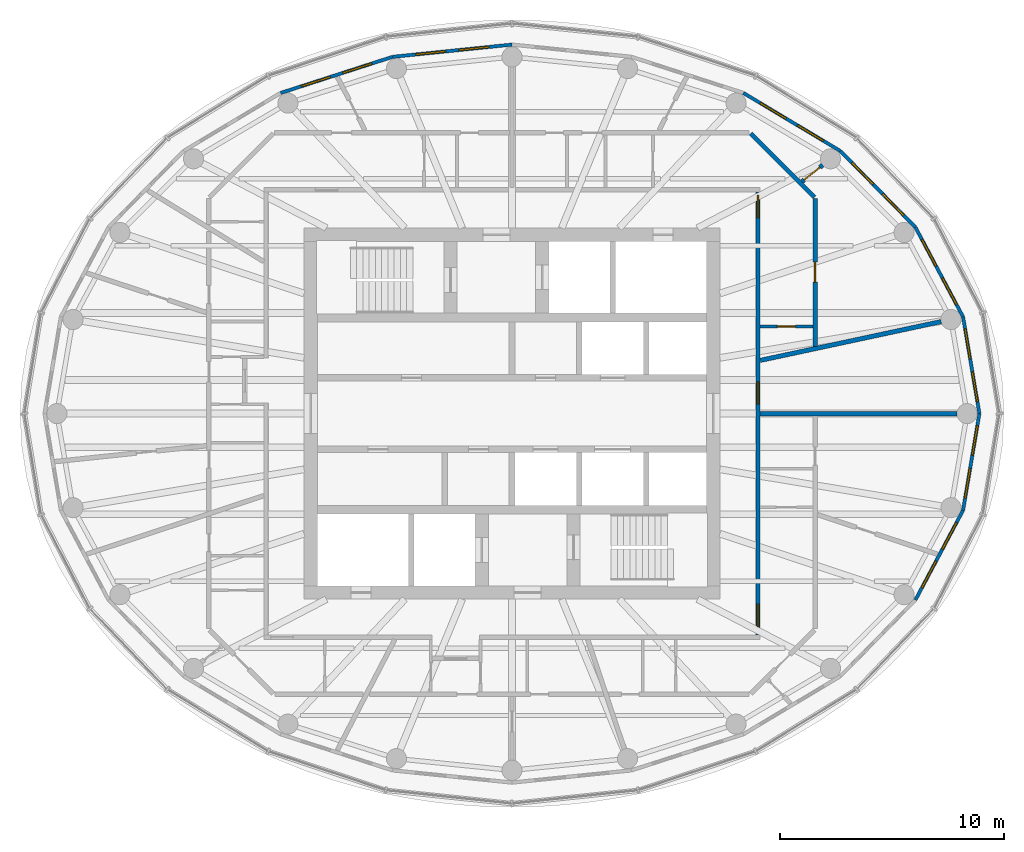
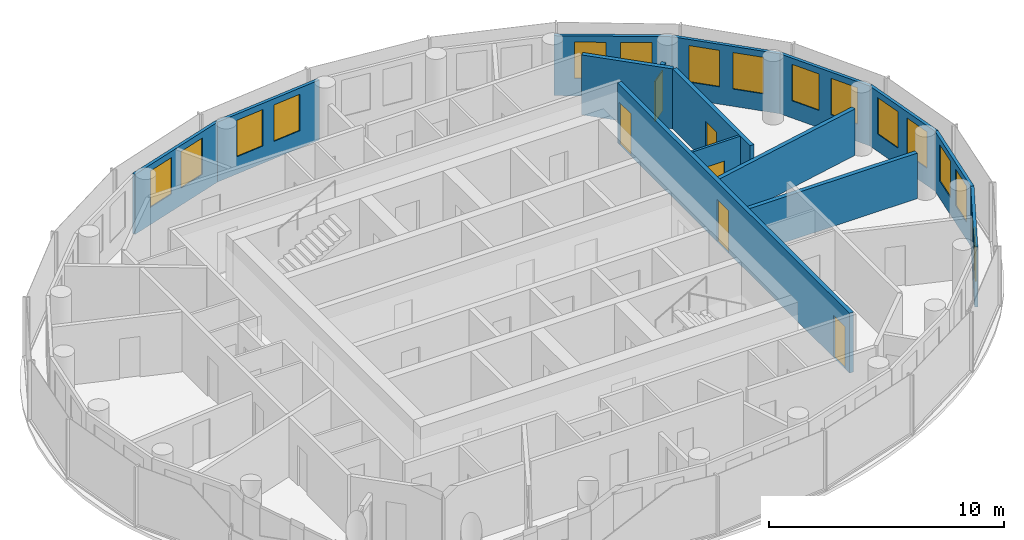
# One storey, part 9 of 11: 16 windows, 15 walls, 6 doors, 22 openings.
"""IFC4 building model written with IfcOpenShell, lengths in metres."""

from ifc_helpers import new_model, si_unit, direction, frame, frame_2d, origin, place, context, subcontext, project, spatial, rectangle, extrude, material, layer, layer_set, type_object, element, fill, save


model = new_model("IFC4")

# Units and contexts
model_context = context("Model", 3, precision=1e-05, world=origin(), true_north=direction((0.0, 1.0)))
body_context = subcontext(model_context, "Body", "Model", "MODEL_VIEW")
ifc_project = project(units=[si_unit("LENGTHUNIT", "METRE"), si_unit("AREAUNIT", "SQUARE_METRE"), si_unit("VOLUMEUNIT", "CUBIC_METRE"), si_unit("PLANEANGLEUNIT", "RADIAN"), si_unit("MASSUNIT", "GRAM", prefix="KILO")], contexts=[model_context])

# Site, building, storey
site_placement = place(None, origin())
site = spatial("IfcSite", under=ifc_project, at=site_placement, CompositionType="ELEMENT")
building_placement = place(site_placement, origin())
building = spatial("IfcBuilding", under=site, at=building_placement, Name="Hankou Lantern Tower", CompositionType="ELEMENT")
storey_placement = place(building_placement, frame((0.0, 0.0, 202.800048828125)))
storey = spatial("IfcBuildingStorey", under=building, at=storey_placement, Name="L54", CompositionType="ELEMENT", Elevation=202.800048828125)

# Wall, openings, windows
ifc_material_1 = material(Name="Aluminium spandrel panel on steel studs", Category="steel")
ifc_layer_1 = layer(ifc_material_1, 0.14990234375)
ifc_layer_set_1 = layer_set([ifc_layer_1], Name="Aluminium spandrel panel on steel studs")
wall_type_1 = type_object("IfcWallType", Name="EW1 INNER SKIN WALL 150", PredefinedType="ELEMENTEDWALL", material=ifc_layer_set_1)
wall_1_placement = place(storey_placement, frame((20.89990234375, 0.0, 0.0), z_axis=(0.0, 0.0, 1.0), x_axis=(-0.166538513568, 0.986034950445, 0.0)))
wall_1 = element("IfcWall", 1, at=wall_1_placement, inside=storey, type_object=wall_type_1, Name="Inner skin R01-R02 L54", PredefinedType="ELEMENTEDWALL", context=body_context, shape_type="SweptSolid", body=[
    extrude(rectangle(XDim=4.384765625, YDim=0.14990234375, at=frame_2d((2.1923828125, 0.0))), origin(), (0.0, 0.0, 1.0), 3.119873046875),
])
opening_1_placement = place(wall_1_placement, frame((0.54248046875, 0.0, 0.89990234375)))
opening_1 = element("IfcOpeningElement", 2, at=opening_1_placement, cuts=wall_1, Name="Opening W4", PredefinedType="OPENING", context=body_context, shape_type="SweptSolid", body=[
    extrude(rectangle(XDim=1.35009765625, YDim=1.89990234375, at=frame_2d((0.675048828125, 0.949951171875))), frame((0.0, 0.0849609375, 0.0), z_axis=(0.0, -1.0, 0.0), x_axis=(1.0, 0.0, 0.0)), (0.0, 0.0, 1.0), 0.169921875),
])
opening_2_placement = place(wall_1_placement, frame((2.492431640625, 0.0, 0.89990234375)))
opening_2 = element("IfcOpeningElement", 3, at=opening_2_placement, cuts=wall_1, Name="Opening W4", PredefinedType="OPENING", context=body_context, shape_type="SweptSolid", body=[
    extrude(rectangle(XDim=1.35009765625, YDim=1.89990234375, at=frame_2d((0.675048828125, 0.949951171875))), frame((0.0, 0.0849609375, 0.0), z_axis=(0.0, -1.0, 0.0), x_axis=(1.0, 0.0, 0.0)), (0.0, 0.0, 1.0), 0.169921875),
])
ifc_material_2 = material(Name="Aluminium framed double glazed window", Category="aluminium")
window_type = type_object("IfcWindowType", Name="W4 SUITE WINDOW 1350X1900", PartitioningType="DOUBLE_PANEL_VERTICAL", PredefinedType="WINDOW", material=ifc_material_2)
window_1_placement = place(opening_1_placement, origin())
window_1 = element("IfcWindow", 4, at=window_1_placement, inside=storey, type_object=window_type, Name="Window R01.1 L54", OverallHeight=1.89990234375, OverallWidth=1.35009765625, PartitioningType="SINGLE_PANEL", PredefinedType="WINDOW", context=body_context, shape_type="SweptSolid", body=[
    extrude(rectangle(XDim=1.35009765625, YDim=1.89990234375, at=frame_2d((0.675048828125, 0.949951171875))), frame((0.0, 0.030029296875, 0.0), z_axis=(0.0, -1.0, 0.0), x_axis=(1.0, 0.0, 0.0)), (0.0, 0.0, 1.0), 0.06005859375),
])
fill(opening_1, window_1)
window_2_placement = place(opening_2_placement, origin())
window_2 = element("IfcWindow", 5, at=window_2_placement, inside=storey, type_object=window_type, Name="Window R01.2 L54", OverallHeight=1.89990234375, OverallWidth=1.35009765625, PartitioningType="SINGLE_PANEL", PredefinedType="WINDOW", context=body_context, shape_type="SweptSolid", body=[
    extrude(rectangle(XDim=1.35009765625, YDim=1.89990234375, at=frame_2d((0.675048828125, 0.949951171875))), frame((0.0, 0.030029296875, 0.0), z_axis=(0.0, -1.0, 0.0), x_axis=(1.0, 0.0, 0.0)), (0.0, 0.0, 1.0), 0.06005859375),
])
fill(opening_2, window_2)

wall_2_placement = place(storey_placement, frame((20.169677734375, 4.323486328125, 0.0), z_axis=(0.0, 0.0, 1.0), x_axis=(-0.469256152955, 0.883062094597, 0.0)))
wall_2 = element("IfcWall", 6, at=wall_2_placement, inside=storey, type_object=wall_type_1, Name="Inner skin R02-R03 L54", PredefinedType="ELEMENTEDWALL", context=body_context, shape_type="SweptSolid", body=[
    extrude(rectangle(XDim=4.539306640625, YDim=0.14990234375, at=frame_2d((2.26953125, 0.0))), origin(), (0.0, 0.0, 1.0), 3.119873046875),
])
opening_3_placement = place(wall_2_placement, frame((0.61962890625, 0.0, 0.89990234375)))
opening_3 = element("IfcOpeningElement", 7, at=opening_3_placement, cuts=wall_2, Name="Opening W4", PredefinedType="OPENING", context=body_context, shape_type="SweptSolid", body=[
    extrude(rectangle(XDim=1.35009765625, YDim=1.89990234375, at=frame_2d((0.675048828125, 0.949951171875))), frame((0.0, 0.0849609375, 0.0), z_axis=(0.0, -1.0, 0.0), x_axis=(1.0, 0.0, 0.0)), (0.0, 0.0, 1.0), 0.169921875),
])
opening_4_placement = place(wall_2_placement, frame((2.569580078125, 0.0, 0.89990234375)))
opening_4 = element("IfcOpeningElement", 8, at=opening_4_placement, cuts=wall_2, Name="Opening W4", PredefinedType="OPENING", context=body_context, shape_type="SweptSolid", body=[
    extrude(rectangle(XDim=1.35009765625, YDim=1.89990234375, at=frame_2d((0.675048828125, 0.949951171875))), frame((0.0, 0.0849609375, 0.0), z_axis=(0.0, -1.0, 0.0), x_axis=(1.0, 0.0, 0.0)), (0.0, 0.0, 1.0), 0.169921875),
])
window_3_placement = place(opening_3_placement, origin())
window_3 = element("IfcWindow", 9, at=window_3_placement, inside=storey, type_object=window_type, Name="Window R02.1 L54", OverallHeight=1.89990234375, OverallWidth=1.35009765625, PartitioningType="SINGLE_PANEL", PredefinedType="WINDOW", context=body_context, shape_type="SweptSolid", body=[
    extrude(rectangle(XDim=1.35009765625, YDim=1.89990234375, at=frame_2d((0.675048828125, 0.949951171875))), frame((0.0, 0.030029296875, 0.0), z_axis=(0.0, -1.0, 0.0), x_axis=(1.0, 0.0, 0.0)), (0.0, 0.0, 1.0), 0.06005859375),
])
fill(opening_3, window_3)
window_4_placement = place(opening_4_placement, origin())
window_4 = element("IfcWindow", 10, at=window_4_placement, inside=storey, type_object=window_type, Name="Window R02.2 L54", OverallHeight=1.89990234375, OverallWidth=1.35009765625, PartitioningType="SINGLE_PANEL", PredefinedType="WINDOW", context=body_context, shape_type="SweptSolid", body=[
    extrude(rectangle(XDim=1.35009765625, YDim=1.89990234375, at=frame_2d((0.675048828125, 0.949951171875))), frame((0.0, 0.030029296875, 0.0), z_axis=(0.0, -1.0, 0.0), x_axis=(1.0, 0.0, 0.0)), (0.0, 0.0, 1.0), 0.06005859375),
])
fill(opening_4, window_4)

wall_3_placement = place(storey_placement, frame((18.03955078125, 8.33203125, 0.0), z_axis=(0.0, 0.0, 1.0), x_axis=(-0.701527379618, 0.712642501993, 0.0)))
wall_3 = element("IfcWall", 11, at=wall_3_placement, inside=storey, type_object=wall_type_1, Name="Inner skin R03-R04 L54", PredefinedType="ELEMENTEDWALL", context=body_context, shape_type="SweptSolid", body=[
    extrude(rectangle(XDim=4.788330078125, YDim=0.14990234375, at=frame_2d((2.39404296875, 0.0))), origin(), (0.0, 0.0, 1.0), 3.119873046875),
])
opening_5_placement = place(wall_3_placement, frame((0.744140625, 0.0, 0.89990234375)))
opening_5 = element("IfcOpeningElement", 12, at=opening_5_placement, cuts=wall_3, Name="Opening W4", PredefinedType="OPENING", context=body_context, shape_type="SweptSolid", body=[
    extrude(rectangle(XDim=1.35009765625, YDim=1.89990234375, at=frame_2d((0.675048828125, 0.949951171875))), frame((0.0, 0.0849609375, 0.0), z_axis=(0.0, -1.0, 0.0), x_axis=(1.0, 0.0, 0.0)), (0.0, 0.0, 1.0), 0.169921875),
])
opening_6_placement = place(wall_3_placement, frame((2.694091796875, 0.0, 0.89990234375)))
opening_6 = element("IfcOpeningElement", 13, at=opening_6_placement, cuts=wall_3, Name="Opening W4", PredefinedType="OPENING", context=body_context, shape_type="SweptSolid", body=[
    extrude(rectangle(XDim=1.35009765625, YDim=1.89990234375, at=frame_2d((0.675048828125, 0.949951171875))), frame((0.0, 0.0849609375, 0.0), z_axis=(0.0, -1.0, 0.0), x_axis=(1.0, 0.0, 0.0)), (0.0, 0.0, 1.0), 0.169921875),
])
window_5_placement = place(opening_5_placement, origin())
window_5 = element("IfcWindow", 14, at=window_5_placement, inside=storey, type_object=window_type, Name="Window R03.1 L54", OverallHeight=1.89990234375, OverallWidth=1.35009765625, PartitioningType="SINGLE_PANEL", PredefinedType="WINDOW", context=body_context, shape_type="SweptSolid", body=[
    extrude(rectangle(XDim=1.35009765625, YDim=1.89990234375, at=frame_2d((0.675048828125, 0.949951171875))), frame((0.0, 0.030029296875, 0.0), z_axis=(0.0, -1.0, 0.0), x_axis=(1.0, 0.0, 0.0)), (0.0, 0.0, 1.0), 0.06005859375),
])
fill(opening_5, window_5)
window_6_placement = place(opening_6_placement, origin())
window_6 = element("IfcWindow", 15, at=window_6_placement, inside=storey, type_object=window_type, Name="Window R03.2 L54", OverallHeight=1.89990234375, OverallWidth=1.35009765625, PartitioningType="SINGLE_PANEL", PredefinedType="WINDOW", context=body_context, shape_type="SweptSolid", body=[
    extrude(rectangle(XDim=1.35009765625, YDim=1.89990234375, at=frame_2d((0.675048828125, 0.949951171875))), frame((0.0, 0.030029296875, 0.0), z_axis=(0.0, -1.0, 0.0), x_axis=(1.0, 0.0, 0.0)), (0.0, 0.0, 1.0), 0.06005859375),
])
fill(opening_6, window_6)

wall_4_placement = place(storey_placement, frame((14.680419921875, 11.744384765625, 0.0), z_axis=(0.0, 0.0, 1.0), x_axis=(-0.85822150553, 0.513279502265, 0.0)))
wall_4 = element("IfcWall", 16, at=wall_4_placement, inside=storey, type_object=wall_type_1, Name="Inner skin R04-R05 L54", PredefinedType="ELEMENTEDWALL", context=body_context, shape_type="SweptSolid", body=[
    extrude(rectangle(XDim=5.050048828125, YDim=0.14990234375, at=frame_2d((2.52490234375, 0.0))), origin(), (0.0, 0.0, 1.0), 3.119873046875),
])
opening_7_placement = place(wall_4_placement, frame((0.875, 0.0, 0.89990234375)))
opening_7 = element("IfcOpeningElement", 17, at=opening_7_placement, cuts=wall_4, Name="Opening W4", PredefinedType="OPENING", context=body_context, shape_type="SweptSolid", body=[
    extrude(rectangle(XDim=1.35009765625, YDim=1.89990234375, at=frame_2d((0.675048828125, 0.949951171875))), frame((0.0, 0.0849609375, 0.0), z_axis=(0.0, -1.0, 0.0), x_axis=(1.0, 0.0, 0.0)), (0.0, 0.0, 1.0), 0.169921875),
])
opening_8_placement = place(wall_4_placement, frame((2.824951171875, 0.0, 0.89990234375)))
opening_8 = element("IfcOpeningElement", 18, at=opening_8_placement, cuts=wall_4, Name="Opening W4", PredefinedType="OPENING", context=body_context, shape_type="SweptSolid", body=[
    extrude(rectangle(XDim=1.35009765625, YDim=1.89990234375, at=frame_2d((0.675048828125, 0.949951171875))), frame((0.0, 0.0849609375, 0.0), z_axis=(0.0, -1.0, 0.0), x_axis=(1.0, 0.0, 0.0)), (0.0, 0.0, 1.0), 0.169921875),
])
window_7_placement = place(opening_7_placement, origin())
window_7 = element("IfcWindow", 19, at=window_7_placement, inside=storey, type_object=window_type, Name="Window R04.1 L54", OverallHeight=1.89990234375, OverallWidth=1.35009765625, PartitioningType="SINGLE_PANEL", PredefinedType="WINDOW", context=body_context, shape_type="SweptSolid", body=[
    extrude(rectangle(XDim=1.35009765625, YDim=1.89990234375, at=frame_2d((0.675048828125, 0.949951171875))), frame((0.0, 0.030029296875, 0.0), z_axis=(0.0, -1.0, 0.0), x_axis=(1.0, 0.0, 0.0)), (0.0, 0.0, 1.0), 0.06005859375),
])
fill(opening_7, window_7)
window_8_placement = place(opening_8_placement, origin())
window_8 = element("IfcWindow", 20, at=window_8_placement, inside=storey, type_object=window_type, Name="Window R04.2 L54", OverallHeight=1.89990234375, OverallWidth=1.35009765625, PartitioningType="SINGLE_PANEL", PredefinedType="WINDOW", context=body_context, shape_type="SweptSolid", body=[
    extrude(rectangle(XDim=1.35009765625, YDim=1.89990234375, at=frame_2d((0.675048828125, 0.949951171875))), frame((0.0, 0.030029296875, 0.0), z_axis=(0.0, -1.0, 0.0), x_axis=(1.0, 0.0, 0.0)), (0.0, 0.0, 1.0), 0.06005859375),
])
fill(opening_8, window_8)

wall_5_placement = place(storey_placement, frame((0.0, 16.5, 0.0), z_axis=(0.0, 0.0, 1.0), x_axis=(-0.994774574972, -0.102095763818, 0.0)))
wall_5 = element("IfcWall", 21, at=wall_5_placement, inside=storey, type_object=wall_type_1, Name="Inner skin R07-R08 L54", PredefinedType="ELEMENTEDWALL", context=body_context, shape_type="SweptSolid", body=[
    extrude(rectangle(XDim=5.370849609375, YDim=0.14990234375, at=frame_2d((2.685546875, 0.0))), origin(), (0.0, 0.0, 1.0), 3.119873046875),
])
opening_9_placement = place(wall_5_placement, frame((1.035400390625, 0.0, 0.89990234375)))
opening_9 = element("IfcOpeningElement", 22, at=opening_9_placement, cuts=wall_5, Name="Opening W4", PredefinedType="OPENING", context=body_context, shape_type="SweptSolid", body=[
    extrude(rectangle(XDim=1.35009765625, YDim=1.89990234375, at=frame_2d((0.675048828125, 0.949951171875))), frame((0.0, 0.0849609375, 0.0), z_axis=(0.0, -1.0, 0.0), x_axis=(1.0, 0.0, 0.0)), (0.0, 0.0, 1.0), 0.169921875),
])
opening_10_placement = place(wall_5_placement, frame((2.9853515625, 0.0, 0.89990234375)))
opening_10 = element("IfcOpeningElement", 23, at=opening_10_placement, cuts=wall_5, Name="Opening W4", PredefinedType="OPENING", context=body_context, shape_type="SweptSolid", body=[
    extrude(rectangle(XDim=1.35009765625, YDim=1.89990234375, at=frame_2d((0.675048828125, 0.949951171875))), frame((0.0, 0.0849609375, 0.0), z_axis=(0.0, -1.0, 0.0), x_axis=(1.0, 0.0, 0.0)), (0.0, 0.0, 1.0), 0.169921875),
])
window_9_placement = place(opening_9_placement, origin())
window_9 = element("IfcWindow", 24, at=window_9_placement, inside=storey, type_object=window_type, Name="Window R07.1 L54", OverallHeight=1.89990234375, OverallWidth=1.35009765625, PartitioningType="SINGLE_PANEL", PredefinedType="WINDOW", context=body_context, shape_type="SweptSolid", body=[
    extrude(rectangle(XDim=1.35009765625, YDim=1.89990234375, at=frame_2d((0.675048828125, 0.949951171875))), frame((0.0, 0.030029296875, 0.0), z_axis=(0.0, -1.0, 0.0), x_axis=(1.0, 0.0, 0.0)), (0.0, 0.0, 1.0), 0.06005859375),
])
fill(opening_9, window_9)
window_10_placement = place(opening_10_placement, origin())
window_10 = element("IfcWindow", 25, at=window_10_placement, inside=storey, type_object=window_type, Name="Window R07.2 L54", OverallHeight=1.89990234375, OverallWidth=1.35009765625, PartitioningType="SINGLE_PANEL", PredefinedType="WINDOW", context=body_context, shape_type="SweptSolid", body=[
    extrude(rectangle(XDim=1.35009765625, YDim=1.89990234375, at=frame_2d((0.675048828125, 0.949951171875))), frame((0.0, 0.030029296875, 0.0), z_axis=(0.0, -1.0, 0.0), x_axis=(1.0, 0.0, 0.0)), (0.0, 0.0, 1.0), 0.06005859375),
])
fill(opening_10, window_10)

wall_6_placement = place(storey_placement, frame((-5.3427734375, 15.95166015625, 0.0), z_axis=(0.0, 0.0, 1.0), x_axis=(-0.951644702515, -0.307200846638, 0.0)))
wall_6 = element("IfcWall", 26, at=wall_6_placement, inside=storey, type_object=wall_type_1, Name="Inner skin R08-R09 L54", PredefinedType="ELEMENTEDWALL", context=body_context, shape_type="SweptSolid", body=[
    extrude(rectangle(XDim=5.2578125, YDim=0.14990234375, at=frame_2d((2.62890625, 0.0))), origin(), (0.0, 0.0, 1.0), 3.119873046875),
])
opening_11_placement = place(wall_6_placement, frame((0.97900390625, 0.0, 0.89990234375)))
opening_11 = element("IfcOpeningElement", 27, at=opening_11_placement, cuts=wall_6, Name="Opening W4", PredefinedType="OPENING", context=body_context, shape_type="SweptSolid", body=[
    extrude(rectangle(XDim=1.35009765625, YDim=1.89990234375, at=frame_2d((0.675048828125, 0.949951171875))), frame((0.0, 0.0849609375, 0.0), z_axis=(0.0, -1.0, 0.0), x_axis=(1.0, 0.0, 0.0)), (0.0, 0.0, 1.0), 0.169921875),
])
opening_12_placement = place(wall_6_placement, frame((2.928955078125, 0.0, 0.89990234375)))
opening_12 = element("IfcOpeningElement", 28, at=opening_12_placement, cuts=wall_6, Name="Opening W4", PredefinedType="OPENING", context=body_context, shape_type="SweptSolid", body=[
    extrude(rectangle(XDim=1.35009765625, YDim=1.89990234375, at=frame_2d((0.675048828125, 0.949951171875))), frame((0.0, 0.0849609375, 0.0), z_axis=(0.0, -1.0, 0.0), x_axis=(1.0, 0.0, 0.0)), (0.0, 0.0, 1.0), 0.169921875),
])
window_11_placement = place(opening_11_placement, origin())
window_11 = element("IfcWindow", 29, at=window_11_placement, inside=storey, type_object=window_type, Name="Window R08.1 L54", OverallHeight=1.89990234375, OverallWidth=1.35009765625, PartitioningType="SINGLE_PANEL", PredefinedType="WINDOW", context=body_context, shape_type="SweptSolid", body=[
    extrude(rectangle(XDim=1.35009765625, YDim=1.89990234375, at=frame_2d((0.675048828125, 0.949951171875))), frame((0.0, 0.030029296875, 0.0), z_axis=(0.0, -1.0, 0.0), x_axis=(1.0, 0.0, 0.0)), (0.0, 0.0, 1.0), 0.06005859375),
])
fill(opening_11, window_11)
window_12_placement = place(opening_12_placement, origin())
window_12 = element("IfcWindow", 30, at=window_12_placement, inside=storey, type_object=window_type, Name="Window R08.2 L54", OverallHeight=1.89990234375, OverallWidth=1.35009765625, PartitioningType="SINGLE_PANEL", PredefinedType="WINDOW", context=body_context, shape_type="SweptSolid", body=[
    extrude(rectangle(XDim=1.35009765625, YDim=1.89990234375, at=frame_2d((0.675048828125, 0.949951171875))), frame((0.0, 0.030029296875, 0.0), z_axis=(0.0, -1.0, 0.0), x_axis=(1.0, 0.0, 0.0)), (0.0, 0.0, 1.0), 0.06005859375),
])
fill(opening_12, window_12)

wall_7_placement = place(storey_placement, frame((18.03955078125, -8.33203125, 0.0), z_axis=(0.0, 0.0, 1.0), x_axis=(0.469256152955, 0.883062094597, 0.0)))
wall_7 = element("IfcWall", 31, at=wall_7_placement, inside=storey, type_object=wall_type_1, Name="Inner skin R23-R24 L54", PredefinedType="ELEMENTEDWALL", context=body_context, shape_type="SweptSolid", body=[
    extrude(rectangle(XDim=4.539306640625, YDim=0.14990234375, at=frame_2d((2.26953125, 0.0))), origin(), (0.0, 0.0, 1.0), 3.119873046875),
])
opening_13_placement = place(wall_7_placement, frame((0.61962890625, 0.0, 0.89990234375)))
opening_13 = element("IfcOpeningElement", 32, at=opening_13_placement, cuts=wall_7, Name="Opening W4", PredefinedType="OPENING", context=body_context, shape_type="SweptSolid", body=[
    extrude(rectangle(XDim=1.35009765625, YDim=1.89990234375, at=frame_2d((0.675048828125, 0.949951171875))), frame((0.0, 0.0849609375, 0.0), z_axis=(0.0, -1.0, 0.0), x_axis=(1.0, 0.0, 0.0)), (0.0, 0.0, 1.0), 0.169921875),
])
opening_14_placement = place(wall_7_placement, frame((2.569580078125, 0.0, 0.89990234375)))
opening_14 = element("IfcOpeningElement", 33, at=opening_14_placement, cuts=wall_7, Name="Opening W4", PredefinedType="OPENING", context=body_context, shape_type="SweptSolid", body=[
    extrude(rectangle(XDim=1.35009765625, YDim=1.89990234375, at=frame_2d((0.675048828125, 0.949951171875))), frame((0.0, 0.0849609375, 0.0), z_axis=(0.0, -1.0, 0.0), x_axis=(1.0, 0.0, 0.0)), (0.0, 0.0, 1.0), 0.169921875),
])
window_13_placement = place(opening_13_placement, origin())
window_13 = element("IfcWindow", 34, at=window_13_placement, inside=storey, type_object=window_type, Name="Window R23.1 L54", OverallHeight=1.89990234375, OverallWidth=1.35009765625, PartitioningType="SINGLE_PANEL", PredefinedType="WINDOW", context=body_context, shape_type="SweptSolid", body=[
    extrude(rectangle(XDim=1.35009765625, YDim=1.89990234375, at=frame_2d((0.675048828125, 0.949951171875))), frame((0.0, 0.030029296875, 0.0), z_axis=(0.0, -1.0, 0.0), x_axis=(1.0, 0.0, 0.0)), (0.0, 0.0, 1.0), 0.06005859375),
])
fill(opening_13, window_13)
window_14_placement = place(opening_14_placement, origin())
window_14 = element("IfcWindow", 35, at=window_14_placement, inside=storey, type_object=window_type, Name="Window R23.2 L54", OverallHeight=1.89990234375, OverallWidth=1.35009765625, PartitioningType="SINGLE_PANEL", PredefinedType="WINDOW", context=body_context, shape_type="SweptSolid", body=[
    extrude(rectangle(XDim=1.35009765625, YDim=1.89990234375, at=frame_2d((0.675048828125, 0.949951171875))), frame((0.0, 0.030029296875, 0.0), z_axis=(0.0, -1.0, 0.0), x_axis=(1.0, 0.0, 0.0)), (0.0, 0.0, 1.0), 0.06005859375),
])
fill(opening_14, window_14)

wall_8_placement = place(storey_placement, frame((20.169677734375, -4.323486328125, 0.0), z_axis=(0.0, 0.0, 1.0), x_axis=(0.166538513568, 0.986034950445, 0.0)))
wall_8 = element("IfcWall", 36, at=wall_8_placement, inside=storey, type_object=wall_type_1, Name="Inner skin R24-R01 L54", PredefinedType="ELEMENTEDWALL", context=body_context, shape_type="SweptSolid", body=[
    extrude(rectangle(XDim=4.384765625, YDim=0.14990234375, at=frame_2d((2.1923828125, 0.0))), origin(), (0.0, 0.0, 1.0), 3.119873046875),
])
opening_15_placement = place(wall_8_placement, frame((0.54248046875, 0.0, 0.89990234375)))
opening_15 = element("IfcOpeningElement", 37, at=opening_15_placement, cuts=wall_8, Name="Opening W4", PredefinedType="OPENING", context=body_context, shape_type="SweptSolid", body=[
    extrude(rectangle(XDim=1.35009765625, YDim=1.89990234375, at=frame_2d((0.675048828125, 0.949951171875))), frame((0.0, 0.0849609375, 0.0), z_axis=(0.0, -1.0, 0.0), x_axis=(1.0, 0.0, 0.0)), (0.0, 0.0, 1.0), 0.169921875),
])
opening_16_placement = place(wall_8_placement, frame((2.492431640625, 0.0, 0.89990234375)))
opening_16 = element("IfcOpeningElement", 38, at=opening_16_placement, cuts=wall_8, Name="Opening W4", PredefinedType="OPENING", context=body_context, shape_type="SweptSolid", body=[
    extrude(rectangle(XDim=1.35009765625, YDim=1.89990234375, at=frame_2d((0.675048828125, 0.949951171875))), frame((0.0, 0.0849609375, 0.0), z_axis=(0.0, -1.0, 0.0), x_axis=(1.0, 0.0, 0.0)), (0.0, 0.0, 1.0), 0.169921875),
])
window_15_placement = place(opening_15_placement, origin())
window_15 = element("IfcWindow", 39, at=window_15_placement, inside=storey, type_object=window_type, Name="Window R24.1 L54", OverallHeight=1.89990234375, OverallWidth=1.35009765625, PartitioningType="SINGLE_PANEL", PredefinedType="WINDOW", context=body_context, shape_type="SweptSolid", body=[
    extrude(rectangle(XDim=1.35009765625, YDim=1.89990234375, at=frame_2d((0.675048828125, 0.949951171875))), frame((0.0, 0.030029296875, 0.0), z_axis=(0.0, -1.0, 0.0), x_axis=(1.0, 0.0, 0.0)), (0.0, 0.0, 1.0), 0.06005859375),
])
fill(opening_15, window_15)
window_16_placement = place(opening_16_placement, origin())
window_16 = element("IfcWindow", 40, at=window_16_placement, inside=storey, type_object=window_type, Name="Window R24.2 L54", OverallHeight=1.89990234375, OverallWidth=1.35009765625, PartitioningType="SINGLE_PANEL", PredefinedType="WINDOW", context=body_context, shape_type="SweptSolid", body=[
    extrude(rectangle(XDim=1.35009765625, YDim=1.89990234375, at=frame_2d((0.675048828125, 0.949951171875))), frame((0.0, 0.030029296875, 0.0), z_axis=(0.0, -1.0, 0.0), x_axis=(1.0, 0.0, 0.0)), (0.0, 0.0, 1.0), 0.06005859375),
])
fill(opening_16, window_16)

# Wall, openings, doors
ifc_material_3 = material(Name="Masonry lightweight concrete block", Category="masonry")
ifc_layer_2 = layer(ifc_material_3, 0.199951171875)
ifc_layer_set_2 = layer_set([ifc_layer_2], Name="Masonry lightweight concrete block")
wall_type_2 = type_object("IfcWallType", Name="IW2 CORRIDOR WALL 200", PredefinedType="PARTITIONING", material=ifc_layer_set_2)
wall_9_placement = place(storey_placement, frame((11.0, -9.89990234375, 0.0), z_axis=(0.0, 0.0, 1.0), x_axis=(0.0, 1.0, 0.0)))
wall_9 = element("IfcWall", 41, at=wall_9_placement, inside=storey, type_object=wall_type_2, Name="Corridor wall east", PredefinedType="PARTITIONING", context=body_context, shape_type="SweptSolid", body=[
    extrude(rectangle(XDim=19.7998046875, YDim=0.199951171875, at=frame_2d((9.89990234375, 0.0))), origin(), (0.0, 0.0, 1.0), 3.119873046875),
])
opening_17_placement = place(wall_9_placement, frame((10.320068359375, 0.0, 0.0)))
opening_17 = element("IfcOpeningElement", 42, at=opening_17_placement, cuts=wall_9, Name="Opening D28", PredefinedType="OPENING", context=body_context, shape_type="SweptSolid", body=[
    extrude(rectangle(XDim=1.0, YDim=2.199951171875, at=frame_2d((0.5, 1.10009765625))), frame((0.0, 0.10986328125, 0.0), z_axis=(0.0, -1.0, 0.0), x_axis=(1.0, 0.0, 0.0)), (0.0, 0.0, 1.0), 0.219970703125),
])
opening_18_placement = place(wall_9_placement, frame((18.652587890625, 0.0, 0.0)))
opening_18 = element("IfcOpeningElement", 43, at=opening_18_placement, cuts=wall_9, Name="Opening D2", PredefinedType="OPENING", context=body_context, shape_type="SweptSolid", body=[
    extrude(rectangle(XDim=1.0, YDim=2.199951171875, at=frame_2d((0.5, 1.10009765625))), frame((0.0, 0.10986328125, 0.0), z_axis=(0.0, -1.0, 0.0), x_axis=(1.0, 0.0, 0.0)), (0.0, 0.0, 1.0), 0.219970703125),
])
opening_19_placement = place(wall_9_placement, frame((0.37939453125, 0.0, 0.0)))
opening_19 = element("IfcOpeningElement", 44, at=opening_19_placement, cuts=wall_9, Name="Opening D2", PredefinedType="OPENING", context=body_context, shape_type="SweptSolid", body=[
    extrude(rectangle(XDim=1.0, YDim=2.199951171875, at=frame_2d((0.5, 1.10009765625))), frame((0.0, 0.10986328125, 0.0), z_axis=(0.0, -1.0, 0.0), x_axis=(1.0, 0.0, 0.0)), (0.0, 0.0, 1.0), 0.219970703125),
])
ifc_material_4 = material(Name="Steel door leaf", Category="steel")
door_type_1 = type_object("IfcDoorType", Name="D2 SUITE DOOR 1000X2200", OperationType="SINGLE_SWING_LEFT", PredefinedType="DOOR", material=ifc_material_4)
door_1_placement = place(opening_18_placement, origin())
door_1 = element("IfcDoor", 45, at=door_1_placement, inside=storey, type_object=door_type_1, Name="Suite door 5402", OperationType="SINGLE_SWING_RIGHT", OverallHeight=2.199951171875, OverallWidth=1.0, PredefinedType="DOOR", context=body_context, shape_type="SweptSolid", body=[
    extrude(rectangle(XDim=1.0, YDim=2.199951171875, at=frame_2d((0.5, 1.10009765625))), frame((0.0, 0.02490234375, 0.0), z_axis=(0.0, -1.0, 0.0), x_axis=(1.0, 0.0, 0.0)), (0.0, 0.0, 1.0), 0.050048828125),
])
fill(opening_18, door_1)
door_2_placement = place(opening_19_placement, origin())
door_2 = element("IfcDoor", 46, at=door_2_placement, inside=storey, type_object=door_type_1, Name="Suite door 5407", OperationType="SINGLE_SWING_LEFT", OverallHeight=2.199951171875, OverallWidth=1.0, PredefinedType="DOOR", context=body_context, shape_type="SweptSolid", body=[
    extrude(rectangle(XDim=1.0, YDim=2.199951171875, at=frame_2d((0.5, 1.10009765625))), frame((0.0, 0.02490234375, 0.0), z_axis=(0.0, -1.0, 0.0), x_axis=(1.0, 0.0, 0.0)), (0.0, 0.0, 1.0), 0.050048828125),
])
fill(opening_19, door_2)
ifc_material_5 = material(Name="Steel door leaf", Category="steel")
door_type_2 = type_object("IfcDoorType", Name="D28 SERVICE DOOR 1000X2200", OperationType="SINGLE_SWING_LEFT", PredefinedType="DOOR", material=ifc_material_5)
door_3_placement = place(opening_17_placement, origin())
door_3 = element("IfcDoor", 47, at=door_3_placement, inside=storey, type_object=door_type_2, Name="Service door 5401", OperationType="SINGLE_SWING_RIGHT", OverallHeight=2.199951171875, OverallWidth=1.0, PredefinedType="DOOR", context=body_context, shape_type="SweptSolid", body=[
    extrude(rectangle(XDim=1.0, YDim=2.199951171875, at=frame_2d((0.5, 1.10009765625))), frame((0.0, 0.02490234375, 0.0), z_axis=(0.0, -1.0, 0.0), x_axis=(1.0, 0.0, 0.0)), (0.0, 0.0, 1.0), 0.050048828125),
])
fill(opening_17, door_3)

# Wall, opening, door
ifc_material_6 = material(Name="Masonry lightweight concrete block", Category="masonry")
ifc_layer_3 = layer(ifc_material_6, 0.1201171875)
ifc_layer_set_3 = layer_set([ifc_layer_3], Name="Masonry lightweight concrete block")
wall_type_3 = type_object("IfcWallType", Name="IW3 BATHROOM WALL 120", PredefinedType="PARTITIONING", material=ifc_layer_set_3)
wall_10_placement = place(storey_placement, frame((11.10009765625, 3.892578125, 0.0), z_axis=(0.0, 0.0, 1.0), x_axis=(1.0, 0.0, 0.0)))
wall_10 = element("IfcWall", 48, at=wall_10_placement, inside=storey, type_object=wall_type_3, Name="Box wall 5402 1", PredefinedType="PARTITIONING", context=body_context, shape_type="SweptSolid", body=[
    extrude(rectangle(XDim=2.349853515625, YDim=0.1201171875, at=frame_2d((1.1748046875, 0.0))), origin(), (0.0, 0.0, 1.0), 3.119873046875),
])
opening_20_placement = place(wall_10_placement, frame((0.77001953125, 0.0, 0.0)))
opening_20 = element("IfcOpeningElement", 49, at=opening_20_placement, cuts=wall_10, Name="Opening D3", PredefinedType="OPENING", context=body_context, shape_type="SweptSolid", body=[
    extrude(rectangle(XDim=0.800048828125, YDim=2.10009765625, at=frame_2d((0.39990234375, 1.050048828125))), frame((0.0, 0.070068359375, 0.0), z_axis=(0.0, -1.0, 0.0), x_axis=(1.0, 0.0, 0.0)), (0.0, 0.0, 1.0), 0.14013671875),
])
ifc_material_7 = material(Name="Timber door leaf", Category="wood")
door_type_3 = type_object("IfcDoorType", Name="D3 BATHROOM DOOR 800X2100", OperationType="SINGLE_SWING_LEFT", PredefinedType="DOOR", material=ifc_material_7)
door_4_placement = place(opening_20_placement, origin())
door_4 = element("IfcDoor", 50, at=door_4_placement, inside=storey, type_object=door_type_3, Name="Corner suite 5402 guest WC door", OperationType="SINGLE_SWING_LEFT", OverallHeight=2.10009765625, OverallWidth=0.800048828125, PredefinedType="DOOR", context=body_context, shape_type="SweptSolid", body=[
    extrude(rectangle(XDim=0.800048828125, YDim=2.10009765625, at=frame_2d((0.39990234375, 1.050048828125))), frame((0.0, 0.02490234375, 0.0), z_axis=(0.0, -1.0, 0.0), x_axis=(1.0, 0.0, 0.0)), (0.0, 0.0, 1.0), 0.050048828125),
])
fill(opening_20, door_4)

ifc_material_8 = material(Name="Masonry lightweight concrete block", Category="masonry")
ifc_layer_4 = layer(ifc_material_8, 0.199951171875)
ifc_layer_set_4 = layer_set([ifc_layer_4], Name="Masonry lightweight concrete block")
wall_type_4 = type_object("IfcWallType", Name="IW6 SUITE PARTITION 200", PredefinedType="PARTITIONING", material=ifc_layer_set_4)
wall_11_placement = place(storey_placement, frame((13.550048828125, 3.0078125, 0.0), z_axis=(0.0, 0.0, 1.0), x_axis=(0.0, 1.0, 0.0)))
wall_11 = element("IfcWall", 51, at=wall_11_placement, inside=storey, type_object=wall_type_4, Name="Suite foyer wall 5402", PredefinedType="PARTITIONING", context=body_context, shape_type="SweptSolid", body=[
    extrude(rectangle(XDim=6.600830078125, YDim=0.199951171875, at=frame_2d((3.30029296875, 0.0))), origin(), (0.0, 0.0, 1.0), 3.119873046875),
])
opening_21_placement = place(wall_11_placement, frame((2.8701171875, 0.0, 0.0)))
opening_21 = element("IfcOpeningElement", 52, at=opening_21_placement, cuts=wall_11, Name="Opening D27", PredefinedType="OPENING", context=body_context, shape_type="SweptSolid", body=[
    extrude(rectangle(XDim=0.89990234375, YDim=2.10009765625, at=frame_2d((0.449951171875, 1.050048828125))), frame((0.0, 0.10986328125, 0.0), z_axis=(0.0, -1.0, 0.0), x_axis=(1.0, 0.0, 0.0)), (0.0, 0.0, 1.0), 0.219970703125),
])
ifc_material_9 = material(Name="Timber door leaf", Category="wood")
door_type_4 = type_object("IfcDoorType", Name="D27 INTERNAL DOOR 900X2100", OperationType="SINGLE_SWING_LEFT", PredefinedType="DOOR", material=ifc_material_9)
door_5_placement = place(opening_21_placement, origin())
door_5 = element("IfcDoor", 53, at=door_5_placement, inside=storey, type_object=door_type_4, Name="Corner suite 5402 living room door", OperationType="SINGLE_SWING_LEFT", OverallHeight=2.10009765625, OverallWidth=0.89990234375, PredefinedType="DOOR", context=body_context, shape_type="SweptSolid", body=[
    extrude(rectangle(XDim=0.89990234375, YDim=2.10009765625, at=frame_2d((0.449951171875, 1.050048828125))), frame((0.0, 0.02490234375, 0.0), z_axis=(0.0, -1.0, 0.0), x_axis=(1.0, 0.0, 0.0)), (0.0, 0.0, 1.0), 0.050048828125),
])
fill(opening_21, door_5)

# Wall
wall_12_placement = place(storey_placement, frame((13.520751953125, 9.67919921875, 0.0), z_axis=(0.0, 0.0, 1.0), x_axis=(-0.707106781187, 0.707106781187, 0.0)))
element("IfcWall", 54, at=wall_12_placement, inside=storey, type_object=wall_type_4, Name="Suite foyer wall 5402", PredefinedType="PARTITIONING", context=body_context, shape_type="SweptSolid", body=[
    extrude(rectangle(XDim=4.0185546875, YDim=0.199951171875, at=frame_2d((2.00927734375, 0.0))), origin(), (0.0, 0.0, 1.0), 3.119873046875),
])

# Wall, opening, door
wall_13_placement = place(storey_placement, frame((12.967529296875, 10.3740234375, 0.0), z_axis=(0.0, 0.0, 1.0), x_axis=(0.780888968944, 0.624669847345, 0.0)))
wall_13 = element("IfcWall", 55, at=wall_13_placement, inside=storey, type_object=wall_type_4, Name="Suite partition R04", PredefinedType="PARTITIONING", context=body_context, shape_type="SweptSolid", body=[
    extrude(rectangle(XDim=1.181396484375, YDim=0.199951171875, at=frame_2d((0.5908203125, 0.0))), origin(), (0.0, 0.0, 1.0), 2.419921875),
])
opening_22_placement = place(wall_13_placement, frame((0.1201171875, 0.0, 0.0)))
opening_22 = element("IfcOpeningElement", 56, at=opening_22_placement, cuts=wall_13, Name="Opening D27", PredefinedType="OPENING", context=body_context, shape_type="SweptSolid", body=[
    extrude(rectangle(XDim=0.89990234375, YDim=2.10009765625, at=frame_2d((0.449951171875, 1.050048828125))), frame((0.0, 0.10986328125, 0.0), z_axis=(0.0, -1.0, 0.0), x_axis=(1.0, 0.0, 0.0)), (0.0, 0.0, 1.0), 0.219970703125),
])
door_6_placement = place(opening_22_placement, origin())
door_6 = element("IfcDoor", 57, at=door_6_placement, inside=storey, type_object=door_type_4, Name="Corner suite 5402 dining room door", OperationType="SINGLE_SWING_LEFT", OverallHeight=2.10009765625, OverallWidth=0.89990234375, PredefinedType="DOOR", context=body_context, shape_type="SweptSolid", body=[
    extrude(rectangle(XDim=0.89990234375, YDim=2.10009765625, at=frame_2d((0.449951171875, 1.050048828125))), frame((0.0, 0.02490234375, 0.0), z_axis=(0.0, -1.0, 0.0), x_axis=(1.0, 0.0, 0.0)), (0.0, 0.0, 1.0), 0.050048828125),
])
fill(opening_22, door_6)

# Walls
ifc_material_10 = material(Name="Masonry lightweight concrete block", Category="masonry")
ifc_layer_5 = layer(ifc_material_10, 0.199951171875)
ifc_layer_set_5 = layer_set([ifc_layer_5], Name="Masonry lightweight concrete block")
wall_type_5 = type_object("IfcWallType", Name="IW8 PARTITION 200", PredefinedType="PARTITIONING", material=ifc_layer_set_5)
wall_14_placement = place(storey_placement, frame((11.10009765625, 0.0, 0.0), z_axis=(0.0, 0.0, 1.0), x_axis=(1.0, 0.0, 0.0)))
element("IfcWall", 58, at=wall_14_placement, inside=storey, type_object=wall_type_5, Name="Partition R01", PredefinedType="PARTITIONING", context=body_context, shape_type="SweptSolid", body=[
    extrude(rectangle(XDim=8.7998046875, YDim=0.199951171875, at=frame_2d((4.39990234375, 0.0))), origin(), (0.0, 0.0, 1.0), 2.369873046875),
])
wall_15_placement = place(storey_placement, frame((11.10009765625, 2.37939453125, 0.0), z_axis=(0.0, 0.0, 1.0), x_axis=(0.977789888126, 0.209587534647, 0.0)))
element("IfcWall", 59, at=wall_15_placement, inside=storey, type_object=wall_type_5, Name="Partition R02", PredefinedType="PARTITIONING", context=body_context, shape_type="SweptSolid", body=[
    extrude(rectangle(XDim=8.27294921875, YDim=0.199951171875, at=frame_2d((4.136474609375, 0.0))), origin(), (0.0, 0.0, 1.0), 2.419921875),
])

save(model, "model.ifc")
